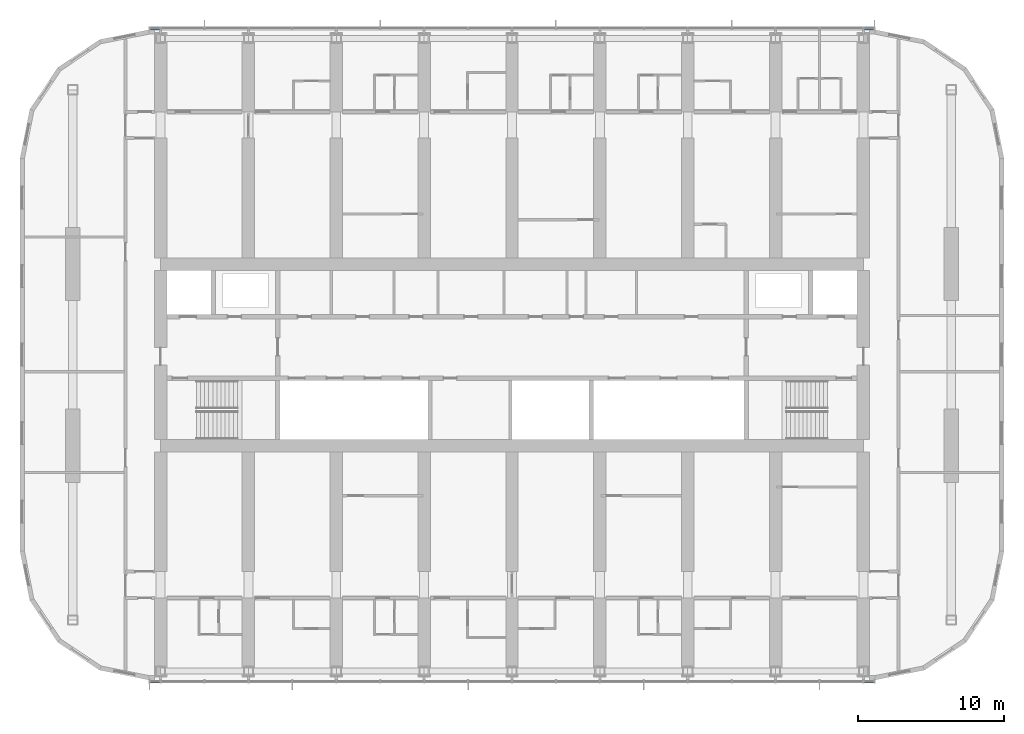
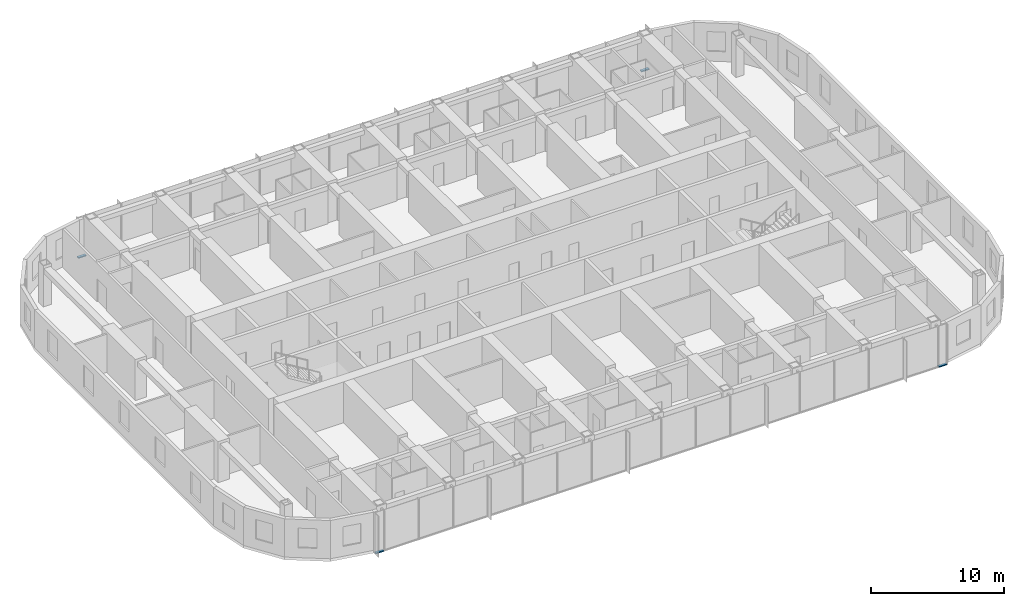
# One storey, part 6 of 22: 4 members, 2 elements without a shape of their own.
"""IFC4 building model written with IfcOpenShell, lengths in metres."""

from ifc_helpers import new_model, si_unit, direction, frame, origin, origin_2d, place, context, subcontext, project, spatial, rectangle, extrude, material, material_profile, profile_set, type_object, element, aggregate, save


model = new_model("IFC4")

# Units and contexts
model_context = context("Model", 3, precision=1e-05, world=origin(), true_north=direction((0.0, 1.0)))
body_context = subcontext(model_context, "Body", "Model", "MODEL_VIEW")
ifc_project = project(units=[si_unit("LENGTHUNIT", "METRE"), si_unit("AREAUNIT", "SQUARE_METRE"), si_unit("VOLUMEUNIT", "CUBIC_METRE"), si_unit("PLANEANGLEUNIT", "RADIAN"), si_unit("MASSUNIT", "GRAM", prefix="KILO")], contexts=[model_context])

# Site, building, storey
site_placement = place(None, origin())
site = spatial("IfcSite", under=ifc_project, at=site_placement, CompositionType="ELEMENT")
building_placement = place(site_placement, origin())
building = spatial("IfcBuilding", under=site, at=building_placement, Name="Orbita Commons", CompositionType="ELEMENT")
storey_placement = place(building_placement, frame((0.0, 0.0, 156.10009765625)))
storey = spatial("IfcBuildingStorey", under=building, at=storey_placement, Name="L38", CompositionType="ELEMENT", Elevation=156.10009765625)

# Curtain wall, members
ifc_material_1 = material(Name="Anodised aluminium frame, pale silver", Category="aluminium")
curtain_wall_type = type_object("IfcCurtainWallType", Name="Unitised curtain wall CW-U, full-height vision", PredefinedType="NOTDEFINED", material=ifc_material_1)
curtain_wall_1_placement = place(storey_placement, origin())
curtain_wall_1 = element("IfcCurtainWall", 1, at=curtain_wall_1_placement, inside=storey, type_object=curtain_wall_type, Name="Curtain wall south L38", PredefinedType="NOTDEFINED")
ifc_material_2 = material(Name="Anodised aluminium, pale silver", Category="aluminium")
ifc_material_profile = material_profile(ifc_material_2, rectangle(XDim=0.219970703125, YDim=0.10009765625, at=origin_2d()), Name="AL 220x100")
ifc_profile_set = profile_set([ifc_material_profile], Name="Anodised aluminium, pale silver")
member_type = type_object("IfcMemberType", Name="Curtain wall stack transom 220x100", PredefinedType="USERDEFINED", material=ifc_profile_set)
member_1_placement = place(storey_placement, frame((17.280029296875, 9.68994140625, -0.2001953125), z_axis=(1.0, 0.0, 0.0), x_axis=(0.0, 1.0, 0.0)))
member_1 = element("IfcMember", 2, at=member_1_placement, type_object=member_type, Name="Transom 1.1 CW-L38-S", ObjectType="TRANSOM", PredefinedType="USERDEFINED", context=body_context, shape_type="SweptSolid", body=[
    extrude(rectangle(XDim=0.219970703125, YDim=0.10009765625, at=origin_2d()), origin(), (0.0, 0.0, 1.0), 0.679931640625),
])
member_2_placement = place(storey_placement, frame((66.0400390625, 9.68994140625, -0.2001953125), z_axis=(1.0, 0.0, 0.0), x_axis=(0.0, 1.0, 0.0)))
member_2 = element("IfcMember", 3, at=member_2_placement, type_object=member_type, Name="Transom 18.1 CW-L38-S", ObjectType="TRANSOM", PredefinedType="USERDEFINED", context=body_context, shape_type="SweptSolid", body=[
    extrude(rectangle(XDim=0.219970703125, YDim=0.10009765625, at=origin_2d()), origin(), (0.0, 0.0, 1.0), 0.679931640625),
])
aggregate(curtain_wall_1, [member_1, member_2])

curtain_wall_2_placement = place(storey_placement, origin())
curtain_wall_2 = element("IfcCurtainWall", 4, at=curtain_wall_2_placement, inside=storey, type_object=curtain_wall_type, Name="Curtain wall north L38", PredefinedType="NOTDEFINED")
member_3_placement = place(storey_placement, frame((66.719970703125, 54.31005859375, -0.2001953125), z_axis=(-1.0, 0.0, 0.0), x_axis=(0.0, -1.0, 0.0)))
member_3 = element("IfcMember", 5, at=member_3_placement, type_object=member_type, Name="Transom 1.1 CW-L38-N", ObjectType="TRANSOM", PredefinedType="USERDEFINED", context=body_context, shape_type="SweptSolid", body=[
    extrude(rectangle(XDim=0.219970703125, YDim=0.10009765625, at=origin_2d()), origin(), (0.0, 0.0, 1.0), 0.679931640625),
])
member_4_placement = place(storey_placement, frame((17.9599609375, 54.31005859375, -0.2001953125), z_axis=(-1.0, 0.0, 0.0), x_axis=(0.0, -1.0, 0.0)))
member_4 = element("IfcMember", 6, at=member_4_placement, type_object=member_type, Name="Transom 18.1 CW-L38-N", ObjectType="TRANSOM", PredefinedType="USERDEFINED", context=body_context, shape_type="SweptSolid", body=[
    extrude(rectangle(XDim=0.219970703125, YDim=0.10009765625, at=origin_2d()), origin(), (0.0, 0.0, 1.0), 0.679931640625),
])
aggregate(curtain_wall_2, [member_3, member_4])

save(model, "model.ifc")
